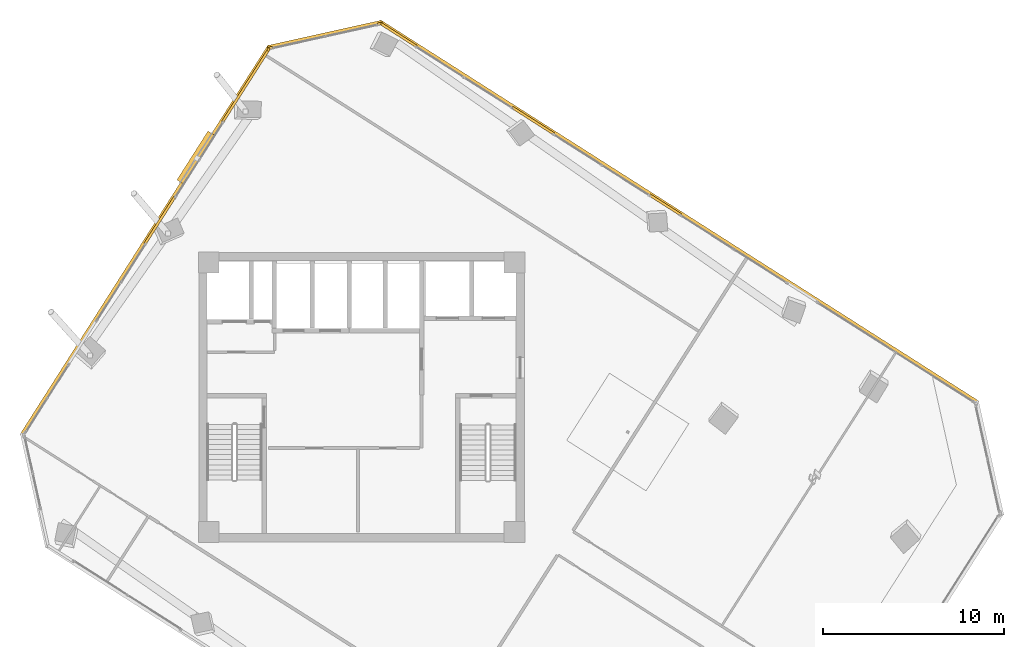
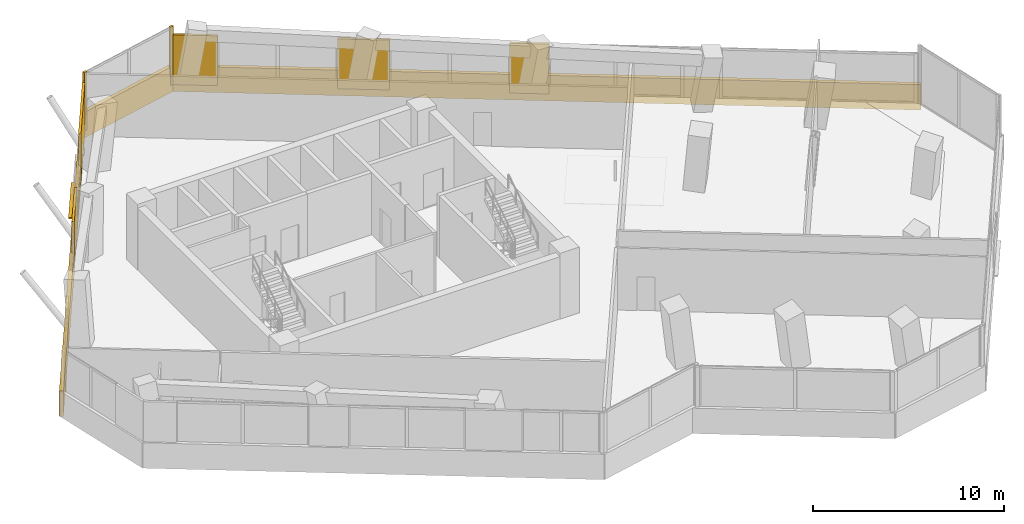
# One storey, part 24 of 24: 11 coverings, 1 shading device.
"""IFC4 building model written with IfcOpenShell, lengths in metres."""

from ifc_helpers import new_model, si_unit, direction, frame, origin, origin_2d, place, context, subcontext, project, spatial, rectangle, extrude, source, transform, mapped, material, layer, layer_set, type_object, element, save


model = new_model("IFC4")

# Units and contexts
model_context = context("Model", 3, precision=1e-05, world=origin(), true_north=direction((0.0, 1.0)))
body_context = subcontext(model_context, "Body", "Model", "MODEL_VIEW")
ifc_project = project(units=[si_unit("LENGTHUNIT", "METRE"), si_unit("AREAUNIT", "SQUARE_METRE"), si_unit("VOLUMEUNIT", "CUBIC_METRE"), si_unit("PLANEANGLEUNIT", "RADIAN"), si_unit("MASSUNIT", "GRAM", prefix="KILO")], contexts=[model_context])

# Site, building, storey
site_placement = place(None, origin())
site = spatial("IfcSite", under=ifc_project, at=site_placement, CompositionType="ELEMENT")
building_placement = place(site_placement, origin())
building = spatial("IfcBuilding", under=site, at=building_placement, Name="Torre Montelarca", CompositionType="ELEMENT")
storey_placement = place(building_placement, frame((0.0, 0.0, 191.800048828125)))
storey = spatial("IfcBuildingStorey", under=building, at=storey_placement, Name="L43", CompositionType="ELEMENT", Elevation=191.800048828125)

# Coverings
ifc_material_1 = material(Name="Bush-hammered warm white precast concrete C45/55", Category="concrete")
ifc_layer_1 = layer(ifc_material_1, 0.139892578125, Name="Bush-hammered warm white precast concrete C45/55", Category="concrete")
ifc_layer_set_1 = layer_set([ifc_layer_1], Name="Bush-hammered warm white precast concrete C45/55")
covering_type = type_object("IfcCoveringType", Name="COV-TRAY-CLAD", PredefinedType="CLADDING", material=ifc_layer_set_1)
shared_shape_1 = source(origin(), body_context, "Body", "SweptSolid", [
    extrude(rectangle(XDim=6.48388671875, YDim=0.219970703125, at=origin_2d()), origin(), (0.0, 0.0, 1.0), 1.6201171875),
])
covering_1_placement = place(storey_placement, frame((15.971435546875, 52.037353515625, -0.4501953125), z_axis=(0.0, 0.0, 1.0), x_axis=(-0.976296384877, -0.21643790998, 0.0)))
element("IfcCovering", 1, at=covering_1_placement, inside=storey, type_object=covering_type, Name="L43 Architectural White Spandrel Tray Band TRYBOT-09", PredefinedType="CLADDING", context=body_context, shape_type="MappedRepresentation", body=[
    mapped(shared_shape_1, transform((0.0, 0.0, 0.0), scale=1.0)),
])
shared_shape_2 = source(origin(), body_context, "Body", "SweptSolid", [
    extrude(rectangle(XDim=25.52001953125, YDim=0.219970703125, at=origin_2d()), origin(), (0.0, 0.0, 1.0), 1.6201171875),
])
covering_2_placement = place(storey_placement, frame((6.06005859375, 40.650634765625, -0.4501953125), z_axis=(0.0, 0.0, 1.0), x_axis=(-0.53729813635, -0.843392383576, 0.0)))
element("IfcCovering", 2, at=covering_2_placement, inside=storey, type_object=covering_type, Name="L43 Architectural White Spandrel Tray Band TRYBOT-10", PredefinedType="CLADDING", context=body_context, shape_type="MappedRepresentation", body=[
    mapped(shared_shape_2, transform((0.0, 0.0, 0.0), scale=1.0)),
])

# Shading device
ifc_material_2 = material(Name="Anodised champagne bronze aluminium AA 6063-T6", Category="aluminium")
ifc_layer_2 = layer(ifc_material_2, 0.070068359375, Name="Anodised champagne bronze aluminium AA 6063-T6", Category="aluminium")
ifc_layer_set_2 = layer_set([ifc_layer_2], Name="Anodised champagne bronze aluminium AA 6063-T6")
shading_device_type = type_object("IfcShadingDeviceType", Name="SHD-SUNSHADE-1", PredefinedType="USERDEFINED", material=ifc_layer_set_2)
shared_shape_3 = source(origin(), body_context, "Body", "SweptSolid", [
    extrude(rectangle(XDim=3.199951171875, YDim=0.47998046875, at=origin_2d()), origin(), (0.0, 0.0, 1.0), 0.10009765625),
])
shading_device_placement = place(storey_placement, frame((8.851318359375, 45.23681640625, 0.56982421875), z_axis=(0.0, 0.0, 1.0), x_axis=(-0.53729813635, -0.843392383576, 0.0)))
element("IfcShadingDevice", 3, at=shading_device_placement, inside=storey, type_object=shading_device_type, Name="L43 Facade Solar Shading Device E10", ObjectType="SUNSHADE", PredefinedType="USERDEFINED", context=body_context, shape_type="MappedRepresentation", body=[
    mapped(shared_shape_3, transform((0.0, 0.0, 0.0), scale=1.0)),
])

# Coverings
shared_shape_4 = source(origin(), body_context, "Body", "SweptSolid", [
    extrude(rectangle(XDim=0.199951171875, YDim=0.139892578125, at=origin_2d()), origin(), (0.0, 0.0, 1.0), 3.719970703125),
])
for number, where, z_axis, x_axis, name in (
    (4, (18.977783203125, 52.642333984375, 0.0), (0.0, 0.0, 1.0), (-0.976296762631, -0.216436206021, 0.0), "L43 Architectural Column Pier Cladding E09-1"),
    (5, (12.990966796875, 51.315185546875, 0.0), (0.0, 0.0, 1.0), (-0.976296762631, -0.216436206021, 0.0), "L43 Architectural Column Pier Cladding E09-2"),
):
    element("IfcCovering", number, at=place(storey_placement, frame(where, z_axis=z_axis, x_axis=x_axis)), inside=storey, type_object=covering_type, Name=name, PredefinedType="CLADDING", context=body_context, shape_type="MappedRepresentation", body=[
        mapped(shared_shape_4, transform((0.0, 0.0, 0.0), scale=1.0)),
    ])
shared_shape_5 = source(origin(), body_context, "Body", "SweptSolid", [
    extrude(rectangle(XDim=39.219970703125, YDim=0.219970703125, at=origin_2d()), origin(), (0.0, 0.0, 1.0), 1.6201171875),
])
covering_3_placement = place(storey_placement, frame((35.543701171875, 42.225830078125, -0.4501953125), z_axis=(0.0, 0.0, 1.0), x_axis=(-0.843391445813, 0.537299608347, 0.0)))
element("IfcCovering", 6, at=covering_3_placement, inside=storey, type_object=covering_type, Name="L43 Architectural White Spandrel Tray Band TRYBOT-08", PredefinedType="CLADDING", context=body_context, shape_type="MappedRepresentation", body=[
    mapped(shared_shape_5, transform((0.0, 0.0, 0.0), scale=1.0)),
])
shared_shape_6 = source(origin(), body_context, "Body", "SweptSolid", [
    extrude(rectangle(XDim=0.199951171875, YDim=0.139892578125, at=origin_2d()), origin(), (0.0, 0.0, 1.0), 3.175048828125),
])
covering_4_placement = place(storey_placement, frame((12.8720703125, 51.231689453125, 0.0), z_axis=(0.0, 0.0, 1.0), x_axis=(-0.537301080342, -0.843390508047, 0.0)))
element("IfcCovering", 7, at=covering_4_placement, inside=storey, type_object=covering_type, Name="L43 Architectural Column Pier Cladding E10-1", PredefinedType="CLADDING", context=body_context, shape_type="MappedRepresentation", body=[
    mapped(shared_shape_6, transform((0.0, 0.0, 0.0), scale=1.0)),
])
shared_shape_7 = source(origin(), body_context, "Body", "SweptSolid", [
    extrude(rectangle(XDim=2.386962890625, YDim=0.139892578125, at=origin_2d()), origin(), (0.0, 0.0, 1.0), 3.175048828125),
])
covering_5_placement = place(storey_placement, frame((20.043212890625, 52.02978515625, 0.0), z_axis=(0.0, 0.0, 1.0), x_axis=(-0.843390508047, 0.537301080342, 0.0)))
element("IfcCovering", 8, at=covering_5_placement, inside=storey, type_object=covering_type, Name="L43 Architectural Column Pier Cladding E08-5", PredefinedType="CLADDING", context=body_context, shape_type="MappedRepresentation", body=[
    mapped(shared_shape_7, transform((0.0, 0.0, 0.0), scale=1.0)),
])
shared_shape_8 = source(origin(), body_context, "Body", "SweptSolid", [
    extrude(rectangle(XDim=2.06005859375, YDim=0.139892578125, at=origin_2d()), origin(), (0.0, 0.0, 1.0), 3.175048828125),
])
covering_6_placement = place(storey_placement, frame((34.79443359375, 42.6318359375, 0.0), z_axis=(0.0, 0.0, 1.0), x_axis=(-0.843390508047, 0.537301080342, 0.0)))
element("IfcCovering", 9, at=covering_6_placement, inside=storey, type_object=covering_type, Name="L43 Architectural Column Pier Cladding E08-3", PredefinedType="CLADDING", context=body_context, shape_type="MappedRepresentation", body=[
    mapped(shared_shape_8, transform((0.0, 0.0, 0.0), scale=1.0)),
])
shared_shape_9 = source(origin(), body_context, "Body", "SweptSolid", [
    extrude(rectangle(XDim=2.72412109375, YDim=0.139892578125, at=origin_2d()), origin(), (0.0, 0.0, 1.0), 3.175048828125),
])
covering_7_placement = place(storey_placement, frame((27.484130859375, 47.289306640625, 0.0), z_axis=(0.0, 0.0, 1.0), x_axis=(-0.843390508047, 0.537301080342, 0.0)))
element("IfcCovering", 10, at=covering_7_placement, inside=storey, type_object=covering_type, Name="L43 Architectural Column Pier Cladding E08-4", PredefinedType="CLADDING", context=body_context, shape_type="MappedRepresentation", body=[
    mapped(shared_shape_9, transform((0.0, 0.0, 0.0), scale=1.0)),
])
shared_shape_10 = source(origin(), body_context, "Body", "SweptSolid", [
    extrude(rectangle(XDim=4.76416015625, YDim=0.139892578125, at=origin_2d()), origin(), (0.0, 0.0, 1.0), 3.175048828125),
])
covering_8_placement = place(storey_placement, frame((11.59228515625, 49.222900390625, 0.0), z_axis=(0.0, 0.0, 1.0), x_axis=(-0.537301080342, -0.843390508047, 0.0)))
element("IfcCovering", 11, at=covering_8_placement, inside=storey, type_object=covering_type, Name="L43 Architectural Column Pier Cladding E10-2", PredefinedType="CLADDING", context=body_context, shape_type="MappedRepresentation", body=[
    mapped(shared_shape_10, transform((0.0, 0.0, 0.0), scale=1.0)),
])
shared_shape_11 = source(origin(), body_context, "Body", "SweptSolid", [
    extrude(rectangle(XDim=3.094970703125, YDim=0.139892578125, at=origin_2d()), origin(), (0.0, 0.0, 1.0), 3.175048828125),
])
covering_9_placement = place(storey_placement, frame((6.845458984375, 41.771728515625, 0.0), z_axis=(0.0, 0.0, 1.0), x_axis=(-0.537301080342, -0.843390508047, 0.0)))
element("IfcCovering", 12, at=covering_9_placement, inside=storey, type_object=covering_type, Name="L43 Architectural Column Pier Cladding E10-3", PredefinedType="CLADDING", context=body_context, shape_type="MappedRepresentation", body=[
    mapped(shared_shape_11, transform((0.0, 0.0, 0.0), scale=1.0)),
])

save(model, "model.ifc")
